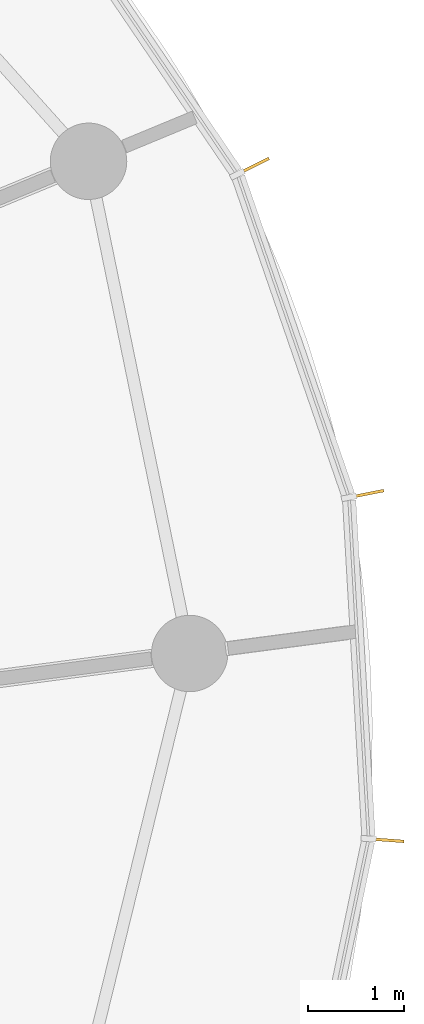
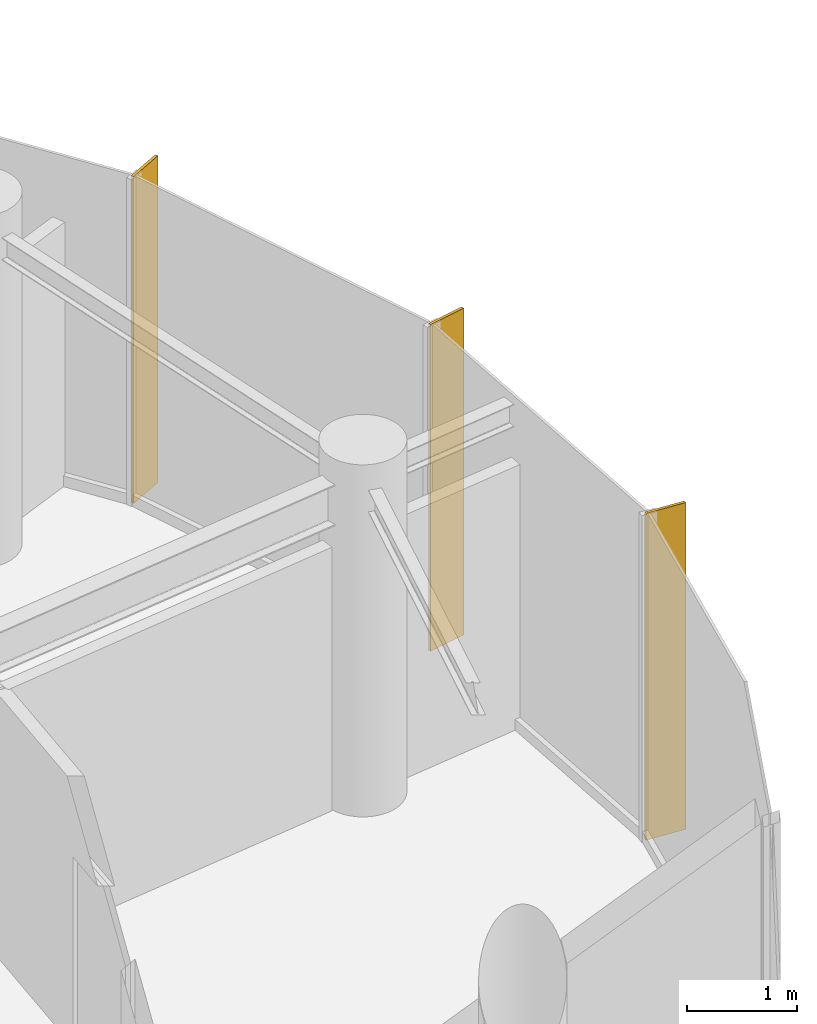
# One storey, part 13 of 13: 3 shading devices.
"""IFC4 building model written with IfcOpenShell, lengths in metres."""

from ifc_helpers import new_model, si_unit, direction, frame, origin, origin_2d, place, context, subcontext, project, spatial, rectangle, extrude, source, transform, mapped, material, material_profile, profile_set, type_object, element, save


model = new_model("IFC4")

# Units and contexts
model_context = context("Model", 3, precision=1e-05, world=origin(), true_north=direction((0.0, 1.0)))
body_context = subcontext(model_context, "Body", "Model", "MODEL_VIEW")
ifc_project = project(units=[si_unit("LENGTHUNIT", "METRE"), si_unit("AREAUNIT", "SQUARE_METRE"), si_unit("VOLUMEUNIT", "CUBIC_METRE"), si_unit("PLANEANGLEUNIT", "RADIAN"), si_unit("MASSUNIT", "GRAM", prefix="KILO")], contexts=[model_context])

# Site, building, storey
site_placement = place(None, origin())
site = spatial("IfcSite", under=ifc_project, at=site_placement, CompositionType="ELEMENT")
building_placement = place(site_placement, origin())
building = spatial("IfcBuilding", under=site, at=building_placement, Name="Spindrift Exchange Tower", CompositionType="ELEMENT")
storey_placement = place(building_placement, frame((0.0, 0.0, 265.699951171875)))
storey = spatial("IfcBuildingStorey", under=building, at=storey_placement, Name="L65", CompositionType="ELEMENT", Elevation=265.699951171875)

# Shading devices
ifc_material = material(Name="Bronze anodised aluminium", Category="aluminium")
ifc_material_profile = material_profile(ifc_material, rectangle(XDim=0.030029296875, YDim=0.39990234375, at=origin_2d()), Name="WIND FIN 30X400")
ifc_profile_set = profile_set([ifc_material_profile], Name="Bronze anodised aluminium")
shading_device_type = type_object("IfcShadingDeviceType", Name="WIND FIN 30X400", PredefinedType="USERDEFINED", material=ifc_profile_set)
shared_shape = source(origin(), body_context, "Body", "SweptSolid", [
    extrude(rectangle(XDim=0.030029296875, YDim=0.39990234375, at=origin_2d()), origin(), (0.0, 0.0, 1.0), 3.6201171875),
])
for number, where, z_axis, x_axis, name in (
    (1, (73.61181640625, 52.26953125, 0.0), (0.0, 0.0, 1.0), (-0.193820008193, 0.981037106548, 0.0), "L65 wind fin 4"),
    (2, (72.428466796875, 55.6943359375, 0.0), (0.0, 0.0, 1.0), (-0.448055575988, 0.894005705142, 0.0), "L65 wind fin 5"),
    (3, (73.819580078125, 48.65234375, 0.0), (0.0, 0.0, 1.0), (0.07441656045, 0.997227243677, 0.0), "L65 wind fin 6"),
):
    element("IfcShadingDevice", number, at=place(storey_placement, frame(where, z_axis=z_axis, x_axis=x_axis)), inside=storey, type_object=shading_device_type, Name=name, ObjectType="FIN", PredefinedType="USERDEFINED", context=body_context, shape_type="MappedRepresentation", body=[
        mapped(shared_shape, transform((0.0, 0.0, 0.0), scale=1.0)),
    ])

save(model, "model.ifc")
